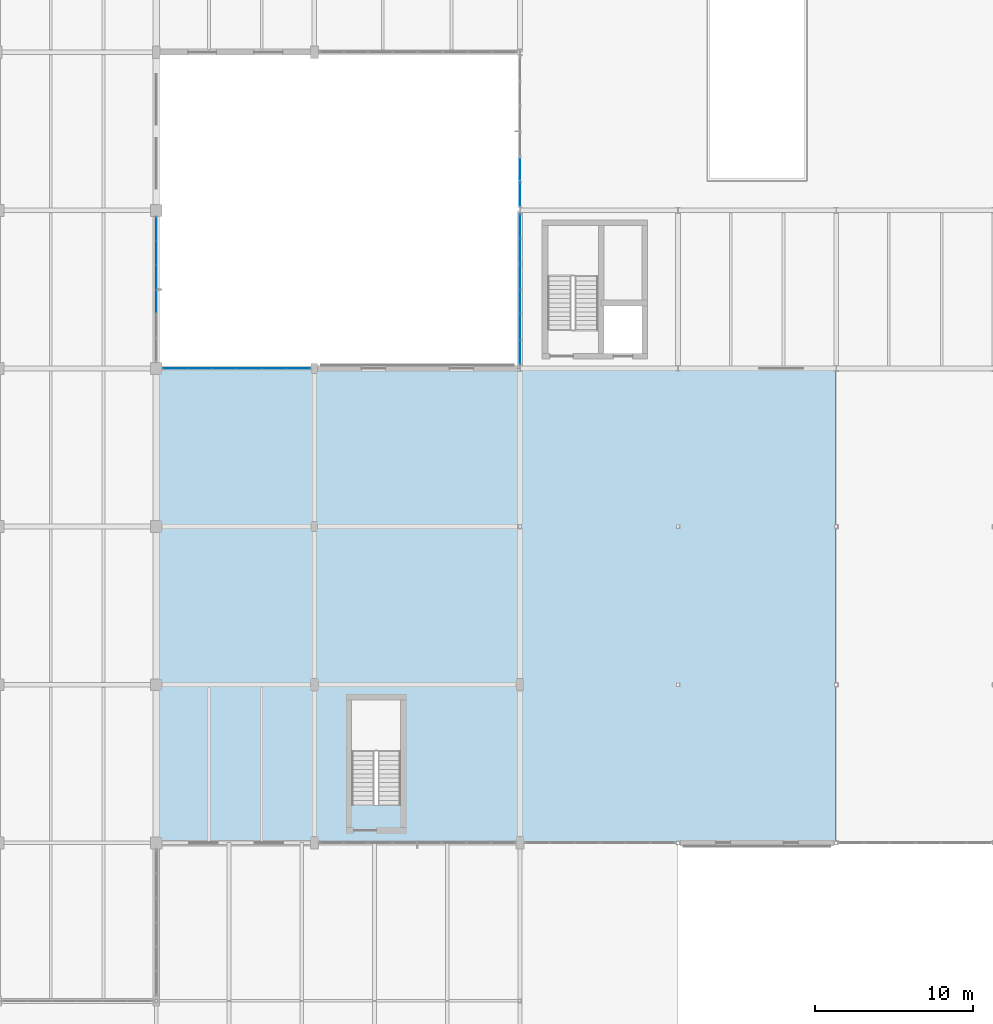
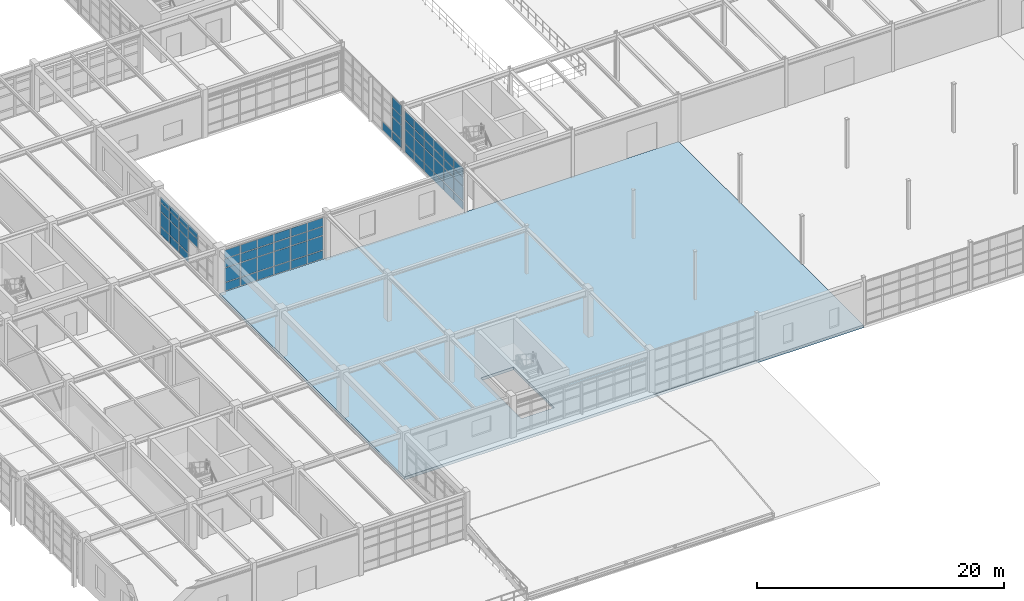
# One storey, part 85 of 139: 67 plates, 1 slab, 4 elements without a shape of their own.
"""IFC4 building model written with IfcOpenShell, lengths in metres."""

from ifc_helpers import new_model, si_unit, direction, frame, origin, origin_2d, place, context, subcontext, project, spatial, polyline, rectangle, outline, extrude, material, layer, layer_set, type_object, element, aggregate, save


model = new_model("IFC4")

# Units and contexts
model_context = context("Model", 3, precision=1e-05, world=origin(), true_north=direction((0.0, 1.0)))
body_context = subcontext(model_context, "Body", "Model", "MODEL_VIEW")
ifc_project = project(units=[si_unit("LENGTHUNIT", "METRE"), si_unit("AREAUNIT", "SQUARE_METRE"), si_unit("VOLUMEUNIT", "CUBIC_METRE"), si_unit("PLANEANGLEUNIT", "RADIAN"), si_unit("MASSUNIT", "GRAM", prefix="KILO"), si_unit("THERMODYNAMICTEMPERATUREUNIT", "KELVIN"), si_unit("POWERUNIT", "WATT")], contexts=[model_context])

# Site, building, storey
site_placement = place(None, origin())
site = spatial("IfcSite", under=ifc_project, at=site_placement, CompositionType="ELEMENT")
building_placement = place(site_placement, origin())
building = spatial("IfcBuilding", under=site, at=building_placement, Name="Korenveer Ferry Terminal", CompositionType="ELEMENT")
storey_placement = place(building_placement, frame((0.0, 0.0, 5.39990234375)))
storey = spatial("IfcBuildingStorey", under=building, at=storey_placement, Name="L01", CompositionType="ELEMENT", Elevation=5.39990234375)

# Curtain wall, plates
ifc_material_1 = material(Name="Unitised bronze-and-glass curtain wall", Category="glass")
ifc_layer_1 = layer(ifc_material_1, 0.159912109375)
ifc_layer_set_1 = layer_set([ifc_layer_1], Name="Unitised bronze-and-glass curtain wall")
curtain_wall_type_1 = type_object("IfcCurtainWallType", Name="ENV-CW-43", PredefinedType="USERDEFINED", material=ifc_layer_set_1)
curtain_wall_1_placement = place(storey_placement, frame((30.405029296875, 50.0, 0.0)))
curtain_wall_1 = element("IfcCurtainWall", 1, at=curtain_wall_1_placement, inside=storey, type_object=curtain_wall_type_1, Name="Lancet curtain wall CWX-L01-X30-40-Y50-50", ObjectType="UNITISED CURTAIN WALL", PredefinedType="USERDEFINED")
ifc_material_2 = material(Name="Low-iron solar-control double glazing", Category="glass")
ifc_layer_2 = layer(ifc_material_2, 0.028076171875)
ifc_layer_set_2 = layer_set([ifc_layer_2], Name="Low-iron solar-control double glazing")
plate_type_1 = type_object("IfcPlateType", Name="ENV-CWP-GLZ28", PredefinedType="CURTAIN_PANEL", material=ifc_layer_set_2)
plate_1_placement = place(storey_placement, frame((31.200439453125, 50.0, 0.06005859375), z_axis=(0.0, 0.0, 1.0), x_axis=(1.0, 0.0, 0.0)))
plate_1 = element("IfcPlate", 2, at=plate_1_placement, type_object=plate_type_1, Name="CW-43 panel 1.1", PredefinedType="CURTAIN_PANEL", context=body_context, shape_type="SweptSolid", body=[
    extrude(rectangle(XDim=1.470947265625, YDim=0.028076171875, at=origin_2d()), origin(), (0.0, 0.0, 1.0), 0.81005859375),
])
plate_2_placement = place(storey_placement, frame((31.200439453125, 50.0, 0.93017578125), z_axis=(0.0, 0.0, 1.0), x_axis=(1.0, 0.0, 0.0)))
plate_2 = element("IfcPlate", 3, at=plate_2_placement, type_object=plate_type_1, Name="CW-43 panel 1.2", PredefinedType="CURTAIN_PANEL", context=body_context, shape_type="SweptSolid", body=[
    extrude(rectangle(XDim=1.470947265625, YDim=0.028076171875, at=origin_2d()), origin(), (0.0, 0.0, 1.0), 1.389892578125),
])
plate_3_placement = place(storey_placement, frame((31.200439453125, 50.0, 2.3798828125), z_axis=(0.0, 0.0, 1.0), x_axis=(1.0, 0.0, 0.0)))
plate_3 = element("IfcPlate", 4, at=plate_3_placement, type_object=plate_type_1, Name="CW-43 panel 1.3", PredefinedType="CURTAIN_PANEL", context=body_context, shape_type="SweptSolid", body=[
    extrude(rectangle(XDim=1.470947265625, YDim=0.028076171875, at=origin_2d()), origin(), (0.0, 0.0, 1.0), 0.840087890625),
])
plate_4_placement = place(storey_placement, frame((31.200439453125, 50.0, 3.2802734375), z_axis=(0.0, 0.0, 1.0), x_axis=(1.0, 0.0, 0.0)))
plate_4 = element("IfcPlate", 5, at=plate_4_placement, type_object=plate_type_1, Name="CW-43 panel 1.4", PredefinedType="CURTAIN_PANEL", context=body_context, shape_type="SweptSolid", body=[
    extrude(rectangle(XDim=1.470947265625, YDim=0.028076171875, at=origin_2d()), origin(), (0.0, 0.0, 1.0), 0.820068359375),
])
plate_5_placement = place(storey_placement, frame((32.746337890625, 50.0, 0.06005859375), z_axis=(0.0, 0.0, 1.0), x_axis=(1.0, 0.0, 0.0)))
plate_5 = element("IfcPlate", 6, at=plate_5_placement, type_object=plate_type_1, Name="CW-43 panel 2.1", PredefinedType="CURTAIN_PANEL", context=body_context, shape_type="SweptSolid", body=[
    extrude(rectangle(XDim=1.500732421875, YDim=0.028076171875, at=origin_2d()), origin(), (0.0, 0.0, 1.0), 0.81005859375),
])
plate_6_placement = place(storey_placement, frame((32.746337890625, 50.0, 0.93017578125), z_axis=(0.0, 0.0, 1.0), x_axis=(1.0, 0.0, 0.0)))
plate_6 = element("IfcPlate", 7, at=plate_6_placement, type_object=plate_type_1, Name="CW-43 panel 2.2", PredefinedType="CURTAIN_PANEL", context=body_context, shape_type="SweptSolid", body=[
    extrude(rectangle(XDim=1.500732421875, YDim=0.028076171875, at=origin_2d()), origin(), (0.0, 0.0, 1.0), 1.389892578125),
])
plate_7_placement = place(storey_placement, frame((32.746337890625, 50.0, 2.3798828125), z_axis=(0.0, 0.0, 1.0), x_axis=(1.0, 0.0, 0.0)))
plate_7 = element("IfcPlate", 8, at=plate_7_placement, type_object=plate_type_1, Name="CW-43 panel 2.3", PredefinedType="CURTAIN_PANEL", context=body_context, shape_type="SweptSolid", body=[
    extrude(rectangle(XDim=1.500732421875, YDim=0.028076171875, at=origin_2d()), origin(), (0.0, 0.0, 1.0), 0.840087890625),
])
plate_8_placement = place(storey_placement, frame((32.746337890625, 50.0, 3.2802734375), z_axis=(0.0, 0.0, 1.0), x_axis=(1.0, 0.0, 0.0)))
plate_8 = element("IfcPlate", 9, at=plate_8_placement, type_object=plate_type_1, Name="CW-43 panel 2.4", PredefinedType="CURTAIN_PANEL", context=body_context, shape_type="SweptSolid", body=[
    extrude(rectangle(XDim=1.500732421875, YDim=0.028076171875, at=origin_2d()), origin(), (0.0, 0.0, 1.0), 0.820068359375),
])
plate_9_placement = place(storey_placement, frame((34.30712890625, 50.0, 0.06005859375), z_axis=(0.0, 0.0, 1.0), x_axis=(1.0, 0.0, 0.0)))
plate_9 = element("IfcPlate", 10, at=plate_9_placement, type_object=plate_type_1, Name="CW-43 panel 3.1", PredefinedType="CURTAIN_PANEL", context=body_context, shape_type="SweptSolid", body=[
    extrude(rectangle(XDim=1.500732421875, YDim=0.028076171875, at=origin_2d()), origin(), (0.0, 0.0, 1.0), 0.81005859375),
])
plate_10_placement = place(storey_placement, frame((34.30712890625, 50.0, 0.93017578125), z_axis=(0.0, 0.0, 1.0), x_axis=(1.0, 0.0, 0.0)))
plate_10 = element("IfcPlate", 11, at=plate_10_placement, type_object=plate_type_1, Name="CW-43 panel 3.2", PredefinedType="CURTAIN_PANEL", context=body_context, shape_type="SweptSolid", body=[
    extrude(rectangle(XDim=1.500732421875, YDim=0.028076171875, at=origin_2d()), origin(), (0.0, 0.0, 1.0), 1.389892578125),
])
plate_11_placement = place(storey_placement, frame((34.30712890625, 50.0, 2.3798828125), z_axis=(0.0, 0.0, 1.0), x_axis=(1.0, 0.0, 0.0)))
plate_11 = element("IfcPlate", 12, at=plate_11_placement, type_object=plate_type_1, Name="CW-43 panel 3.3", PredefinedType="CURTAIN_PANEL", context=body_context, shape_type="SweptSolid", body=[
    extrude(rectangle(XDim=1.500732421875, YDim=0.028076171875, at=origin_2d()), origin(), (0.0, 0.0, 1.0), 0.840087890625),
])
plate_12_placement = place(storey_placement, frame((34.30712890625, 50.0, 3.2802734375), z_axis=(0.0, 0.0, 1.0), x_axis=(1.0, 0.0, 0.0)))
plate_12 = element("IfcPlate", 13, at=plate_12_placement, type_object=plate_type_1, Name="CW-43 panel 3.4", PredefinedType="CURTAIN_PANEL", context=body_context, shape_type="SweptSolid", body=[
    extrude(rectangle(XDim=1.500732421875, YDim=0.028076171875, at=origin_2d()), origin(), (0.0, 0.0, 1.0), 0.820068359375),
])
plate_13_placement = place(storey_placement, frame((35.867919921875, 50.0, 0.06005859375), z_axis=(0.0, 0.0, 1.0), x_axis=(1.0, 0.0, 0.0)))
plate_13 = element("IfcPlate", 14, at=plate_13_placement, type_object=plate_type_1, Name="CW-43 panel 4.1", PredefinedType="CURTAIN_PANEL", context=body_context, shape_type="SweptSolid", body=[
    extrude(rectangle(XDim=1.500732421875, YDim=0.028076171875, at=origin_2d()), origin(), (0.0, 0.0, 1.0), 0.81005859375),
])
plate_14_placement = place(storey_placement, frame((35.867919921875, 50.0, 0.93017578125), z_axis=(0.0, 0.0, 1.0), x_axis=(1.0, 0.0, 0.0)))
plate_14 = element("IfcPlate", 15, at=plate_14_placement, type_object=plate_type_1, Name="CW-43 panel 4.2", PredefinedType="CURTAIN_PANEL", context=body_context, shape_type="SweptSolid", body=[
    extrude(rectangle(XDim=1.500732421875, YDim=0.028076171875, at=origin_2d()), origin(), (0.0, 0.0, 1.0), 1.389892578125),
])
plate_15_placement = place(storey_placement, frame((35.867919921875, 50.0, 2.3798828125), z_axis=(0.0, 0.0, 1.0), x_axis=(1.0, 0.0, 0.0)))
plate_15 = element("IfcPlate", 16, at=plate_15_placement, type_object=plate_type_1, Name="CW-43 panel 4.3", PredefinedType="CURTAIN_PANEL", context=body_context, shape_type="SweptSolid", body=[
    extrude(rectangle(XDim=1.500732421875, YDim=0.028076171875, at=origin_2d()), origin(), (0.0, 0.0, 1.0), 0.840087890625),
])
plate_16_placement = place(storey_placement, frame((35.867919921875, 50.0, 3.2802734375), z_axis=(0.0, 0.0, 1.0), x_axis=(1.0, 0.0, 0.0)))
plate_16 = element("IfcPlate", 17, at=plate_16_placement, type_object=plate_type_1, Name="CW-43 panel 4.4", PredefinedType="CURTAIN_PANEL", context=body_context, shape_type="SweptSolid", body=[
    extrude(rectangle(XDim=1.500732421875, YDim=0.028076171875, at=origin_2d()), origin(), (0.0, 0.0, 1.0), 0.820068359375),
])
plate_17_placement = place(storey_placement, frame((37.4287109375, 50.0, 0.06005859375), z_axis=(0.0, 0.0, 1.0), x_axis=(1.0, 0.0, 0.0)))
plate_17 = element("IfcPlate", 18, at=plate_17_placement, type_object=plate_type_1, Name="CW-43 panel 5.1", PredefinedType="CURTAIN_PANEL", context=body_context, shape_type="SweptSolid", body=[
    extrude(rectangle(XDim=1.500732421875, YDim=0.028076171875, at=origin_2d()), origin(), (0.0, 0.0, 1.0), 0.81005859375),
])
plate_18_placement = place(storey_placement, frame((37.4287109375, 50.0, 0.93017578125), z_axis=(0.0, 0.0, 1.0), x_axis=(1.0, 0.0, 0.0)))
plate_18 = element("IfcPlate", 19, at=plate_18_placement, type_object=plate_type_1, Name="CW-43 panel 5.2", PredefinedType="CURTAIN_PANEL", context=body_context, shape_type="SweptSolid", body=[
    extrude(rectangle(XDim=1.500732421875, YDim=0.028076171875, at=origin_2d()), origin(), (0.0, 0.0, 1.0), 1.389892578125),
])
plate_19_placement = place(storey_placement, frame((37.4287109375, 50.0, 2.3798828125), z_axis=(0.0, 0.0, 1.0), x_axis=(1.0, 0.0, 0.0)))
plate_19 = element("IfcPlate", 20, at=plate_19_placement, type_object=plate_type_1, Name="CW-43 panel 5.3", PredefinedType="CURTAIN_PANEL", context=body_context, shape_type="SweptSolid", body=[
    extrude(rectangle(XDim=1.500732421875, YDim=0.028076171875, at=origin_2d()), origin(), (0.0, 0.0, 1.0), 0.840087890625),
])
plate_20_placement = place(storey_placement, frame((37.4287109375, 50.0, 3.2802734375), z_axis=(0.0, 0.0, 1.0), x_axis=(1.0, 0.0, 0.0)))
plate_20 = element("IfcPlate", 21, at=plate_20_placement, type_object=plate_type_1, Name="CW-43 panel 5.4", PredefinedType="CURTAIN_PANEL", context=body_context, shape_type="SweptSolid", body=[
    extrude(rectangle(XDim=1.500732421875, YDim=0.028076171875, at=origin_2d()), origin(), (0.0, 0.0, 1.0), 0.820068359375),
])
plate_21_placement = place(storey_placement, frame((38.974609375, 50.0, 0.06005859375), z_axis=(0.0, 0.0, 1.0), x_axis=(1.0, 0.0, 0.0)))
plate_21 = element("IfcPlate", 22, at=plate_21_placement, type_object=plate_type_1, Name="CW-43 panel 6.1", PredefinedType="CURTAIN_PANEL", context=body_context, shape_type="SweptSolid", body=[
    extrude(rectangle(XDim=1.470947265625, YDim=0.028076171875, at=origin_2d()), origin(), (0.0, 0.0, 1.0), 0.81005859375),
])
plate_22_placement = place(storey_placement, frame((38.974609375, 50.0, 0.93017578125), z_axis=(0.0, 0.0, 1.0), x_axis=(1.0, 0.0, 0.0)))
plate_22 = element("IfcPlate", 23, at=plate_22_placement, type_object=plate_type_1, Name="CW-43 panel 6.2", PredefinedType="CURTAIN_PANEL", context=body_context, shape_type="SweptSolid", body=[
    extrude(rectangle(XDim=1.470947265625, YDim=0.028076171875, at=origin_2d()), origin(), (0.0, 0.0, 1.0), 1.389892578125),
])
plate_23_placement = place(storey_placement, frame((38.974609375, 50.0, 2.3798828125), z_axis=(0.0, 0.0, 1.0), x_axis=(1.0, 0.0, 0.0)))
plate_23 = element("IfcPlate", 24, at=plate_23_placement, type_object=plate_type_1, Name="CW-43 panel 6.3", PredefinedType="CURTAIN_PANEL", context=body_context, shape_type="SweptSolid", body=[
    extrude(rectangle(XDim=1.470947265625, YDim=0.028076171875, at=origin_2d()), origin(), (0.0, 0.0, 1.0), 0.840087890625),
])
plate_24_placement = place(storey_placement, frame((38.974609375, 50.0, 3.2802734375), z_axis=(0.0, 0.0, 1.0), x_axis=(1.0, 0.0, 0.0)))
plate_24 = element("IfcPlate", 25, at=plate_24_placement, type_object=plate_type_1, Name="CW-43 panel 6.4", PredefinedType="CURTAIN_PANEL", context=body_context, shape_type="SweptSolid", body=[
    extrude(rectangle(XDim=1.470947265625, YDim=0.028076171875, at=origin_2d()), origin(), (0.0, 0.0, 1.0), 0.820068359375),
])
aggregate(curtain_wall_1, [plate_1, plate_2, plate_3, plate_4, plate_5, plate_6, plate_7, plate_8, plate_9, plate_10, plate_11, plate_12, plate_13, plate_14, plate_15, plate_16, plate_17, plate_18, plate_19, plate_20, plate_21, plate_22, plate_23, plate_24])

ifc_layer_3 = layer(ifc_material_1, 0.159912109375)
ifc_layer_set_3 = layer_set([ifc_layer_3], Name="Unitised bronze-and-glass curtain wall")
curtain_wall_type_2 = type_object("IfcCurtainWallType", Name="ENV-CW-63", PredefinedType="USERDEFINED", material=ifc_layer_set_3)
curtain_wall_2_placement = place(storey_placement, frame((30.0, 59.594970703125, 0.0)))
curtain_wall_2 = element("IfcCurtainWall", 26, at=curtain_wall_2_placement, inside=storey, type_object=curtain_wall_type_2, Name="Lancet curtain wall CWX-L01-X30-30-Y50-60", ObjectType="UNITISED CURTAIN WALL", PredefinedType="USERDEFINED")
plate_25_placement = place(storey_placement, frame((30.0, 58.814208984375, 0.06005859375), z_axis=(0.0, 0.0, 1.0), x_axis=(0.0, -1.0, 0.0)))
plate_25 = element("IfcPlate", 27, at=plate_25_placement, type_object=plate_type_1, Name="CW-63 panel 1.1", PredefinedType="CURTAIN_PANEL", context=body_context, shape_type="SweptSolid", body=[
    extrude(rectangle(XDim=1.441650390625, YDim=0.028076171875, at=origin_2d()), origin(), (0.0, 0.0, 1.0), 0.81005859375),
])
plate_26_placement = place(storey_placement, frame((30.0, 58.814208984375, 0.93017578125), z_axis=(0.0, 0.0, 1.0), x_axis=(0.0, -1.0, 0.0)))
plate_26 = element("IfcPlate", 28, at=plate_26_placement, type_object=plate_type_1, Name="CW-63 panel 1.2", PredefinedType="CURTAIN_PANEL", context=body_context, shape_type="SweptSolid", body=[
    extrude(rectangle(XDim=1.441650390625, YDim=0.028076171875, at=origin_2d()), origin(), (0.0, 0.0, 1.0), 1.389892578125),
])
plate_27_placement = place(storey_placement, frame((30.0, 58.814208984375, 2.3798828125), z_axis=(0.0, 0.0, 1.0), x_axis=(0.0, -1.0, 0.0)))
plate_27 = element("IfcPlate", 29, at=plate_27_placement, type_object=plate_type_1, Name="CW-63 panel 1.3", PredefinedType="CURTAIN_PANEL", context=body_context, shape_type="SweptSolid", body=[
    extrude(rectangle(XDim=1.441650390625, YDim=0.028076171875, at=origin_2d()), origin(), (0.0, 0.0, 1.0), 0.840087890625),
])
plate_28_placement = place(storey_placement, frame((30.0, 58.814208984375, 3.2802734375), z_axis=(0.0, 0.0, 1.0), x_axis=(0.0, -1.0, 0.0)))
plate_28 = element("IfcPlate", 30, at=plate_28_placement, type_object=plate_type_1, Name="CW-63 panel 1.4", PredefinedType="CURTAIN_PANEL", context=body_context, shape_type="SweptSolid", body=[
    extrude(rectangle(XDim=1.441650390625, YDim=0.028076171875, at=origin_2d()), origin(), (0.0, 0.0, 1.0), 0.530029296875),
])
plate_29_placement = place(storey_placement, frame((30.0, 57.297607421875, 0.06005859375), z_axis=(0.0, 0.0, 1.0), x_axis=(0.0, -1.0, 0.0)))
plate_29 = element("IfcPlate", 31, at=plate_29_placement, type_object=plate_type_1, Name="CW-63 panel 2.1", PredefinedType="CURTAIN_PANEL", context=body_context, shape_type="SweptSolid", body=[
    extrude(rectangle(XDim=1.4716796875, YDim=0.028076171875, at=origin_2d()), origin(), (0.0, 0.0, 1.0), 0.81005859375),
])
plate_30_placement = place(storey_placement, frame((30.0, 57.297607421875, 0.93017578125), z_axis=(0.0, 0.0, 1.0), x_axis=(0.0, -1.0, 0.0)))
plate_30 = element("IfcPlate", 32, at=plate_30_placement, type_object=plate_type_1, Name="CW-63 panel 2.2", PredefinedType="CURTAIN_PANEL", context=body_context, shape_type="SweptSolid", body=[
    extrude(rectangle(XDim=1.4716796875, YDim=0.028076171875, at=origin_2d()), origin(), (0.0, 0.0, 1.0), 1.389892578125),
])
plate_31_placement = place(storey_placement, frame((30.0, 57.297607421875, 2.3798828125), z_axis=(0.0, 0.0, 1.0), x_axis=(0.0, -1.0, 0.0)))
plate_31 = element("IfcPlate", 33, at=plate_31_placement, type_object=plate_type_1, Name="CW-63 panel 2.3", PredefinedType="CURTAIN_PANEL", context=body_context, shape_type="SweptSolid", body=[
    extrude(rectangle(XDim=1.4716796875, YDim=0.028076171875, at=origin_2d()), origin(), (0.0, 0.0, 1.0), 0.840087890625),
])
plate_32_placement = place(storey_placement, frame((30.0, 57.297607421875, 3.2802734375), z_axis=(0.0, 0.0, 1.0), x_axis=(0.0, -1.0, 0.0)))
plate_32 = element("IfcPlate", 34, at=plate_32_placement, type_object=plate_type_1, Name="CW-63 panel 2.4", PredefinedType="CURTAIN_PANEL", context=body_context, shape_type="SweptSolid", body=[
    extrude(rectangle(XDim=1.4716796875, YDim=0.028076171875, at=origin_2d()), origin(), (0.0, 0.0, 1.0), 0.530029296875),
])
plate_33_placement = place(storey_placement, frame((30.0, 55.765869140625, 0.06005859375), z_axis=(0.0, 0.0, 1.0), x_axis=(0.0, -1.0, 0.0)))
plate_33 = element("IfcPlate", 35, at=plate_33_placement, type_object=plate_type_1, Name="CW-63 panel 3.1", PredefinedType="CURTAIN_PANEL", context=body_context, shape_type="SweptSolid", body=[
    extrude(rectangle(XDim=1.4716796875, YDim=0.028076171875, at=origin_2d()), origin(), (0.0, 0.0, 1.0), 0.81005859375),
])
plate_34_placement = place(storey_placement, frame((30.0, 55.765869140625, 0.93017578125), z_axis=(0.0, 0.0, 1.0), x_axis=(0.0, -1.0, 0.0)))
plate_34 = element("IfcPlate", 36, at=plate_34_placement, type_object=plate_type_1, Name="CW-63 panel 3.2", PredefinedType="CURTAIN_PANEL", context=body_context, shape_type="SweptSolid", body=[
    extrude(rectangle(XDim=1.4716796875, YDim=0.028076171875, at=origin_2d()), origin(), (0.0, 0.0, 1.0), 1.389892578125),
])
plate_35_placement = place(storey_placement, frame((30.0, 55.765869140625, 2.3798828125), z_axis=(0.0, 0.0, 1.0), x_axis=(0.0, -1.0, 0.0)))
plate_35 = element("IfcPlate", 37, at=plate_35_placement, type_object=plate_type_1, Name="CW-63 panel 3.3", PredefinedType="CURTAIN_PANEL", context=body_context, shape_type="SweptSolid", body=[
    extrude(rectangle(XDim=1.4716796875, YDim=0.028076171875, at=origin_2d()), origin(), (0.0, 0.0, 1.0), 0.840087890625),
])
plate_36_placement = place(storey_placement, frame((30.0, 55.765869140625, 3.2802734375), z_axis=(0.0, 0.0, 1.0), x_axis=(0.0, -1.0, 0.0)))
plate_36 = element("IfcPlate", 38, at=plate_36_placement, type_object=plate_type_1, Name="CW-63 panel 3.4", PredefinedType="CURTAIN_PANEL", context=body_context, shape_type="SweptSolid", body=[
    extrude(rectangle(XDim=1.4716796875, YDim=0.028076171875, at=origin_2d()), origin(), (0.0, 0.0, 1.0), 0.530029296875),
])
plate_37_placement = place(storey_placement, frame((30.0, 54.234130859375, 2.3798828125), z_axis=(0.0, 0.0, 1.0), x_axis=(0.0, -1.0, 0.0)))
plate_37 = element("IfcPlate", 39, at=plate_37_placement, type_object=plate_type_1, Name="CW-63 panel 4.3", PredefinedType="CURTAIN_PANEL", context=body_context, shape_type="SweptSolid", body=[
    extrude(rectangle(XDim=1.4716796875, YDim=0.028076171875, at=origin_2d()), origin(), (0.0, 0.0, 1.0), 0.840087890625),
])
plate_38_placement = place(storey_placement, frame((30.0, 54.234130859375, 3.2802734375), z_axis=(0.0, 0.0, 1.0), x_axis=(0.0, -1.0, 0.0)))
plate_38 = element("IfcPlate", 40, at=plate_38_placement, type_object=plate_type_1, Name="CW-63 panel 4.4", PredefinedType="CURTAIN_PANEL", context=body_context, shape_type="SweptSolid", body=[
    extrude(rectangle(XDim=1.4716796875, YDim=0.028076171875, at=origin_2d()), origin(), (0.0, 0.0, 1.0), 0.530029296875),
])
aggregate(curtain_wall_2, [plate_25, plate_26, plate_27, plate_28, plate_29, plate_30, plate_31, plate_32, plate_33, plate_34, plate_35, plate_36, plate_37, plate_38])

ifc_layer_4 = layer(ifc_material_1, 0.219970703125)
ifc_layer_set_4 = layer_set([ifc_layer_4], Name="Unitised bronze-and-glass curtain wall")
curtain_wall_type_3 = type_object("IfcCurtainWallType", Name="ENV-CW-68", PredefinedType="USERDEFINED", material=ifc_layer_set_4)
curtain_wall_3_placement = place(storey_placement, frame((53.0, 50.2099609375, 0.0)))
curtain_wall_3 = element("IfcCurtainWall", 41, at=curtain_wall_3_placement, inside=storey, type_object=curtain_wall_type_3, Name="Lancet curtain wall CWX-L01-X53-53-Y50-60", ObjectType="UNITISED CURTAIN WALL", PredefinedType="USERDEFINED")
ifc_material_3 = material(Name="Acoustic laminated marine glazing", Category="glass")
ifc_layer_5 = layer(ifc_material_3, 0.035888671875)
ifc_layer_set_5 = layer_set([ifc_layer_5], Name="Acoustic laminated marine glazing")
plate_type_2 = type_object("IfcPlateType", Name="ENV-CWP-GLZ36", PredefinedType="CURTAIN_PANEL", material=ifc_layer_set_5)
plate_39_placement = place(storey_placement, frame((53.0, 51.027099609375, 0.074951171875), z_axis=(0.0, 0.0, 1.0), x_axis=(0.0, 1.0, 0.0)))
plate_39 = element("IfcPlate", 42, at=plate_39_placement, type_object=plate_type_2, Name="CW-68 panel 1.1", PredefinedType="CURTAIN_PANEL", context=body_context, shape_type="SweptSolid", body=[
    extrude(rectangle(XDim=1.484130859375, YDim=0.035888671875, at=origin_2d()), origin(), (0.0, 0.0, 1.0), 0.78759765625),
])
plate_40_placement = place(storey_placement, frame((53.0, 51.027099609375, 0.9375), z_axis=(0.0, 0.0, 1.0), x_axis=(0.0, 1.0, 0.0)))
plate_40 = element("IfcPlate", 43, at=plate_40_placement, type_object=plate_type_2, Name="CW-68 panel 1.2", PredefinedType="CURTAIN_PANEL", context=body_context, shape_type="SweptSolid", body=[
    extrude(rectangle(XDim=1.484130859375, YDim=0.035888671875, at=origin_2d()), origin(), (0.0, 0.0, 1.0), 1.375),
])
plate_41_placement = place(storey_placement, frame((53.0, 51.027099609375, 2.3876953125), z_axis=(0.0, 0.0, 1.0), x_axis=(0.0, 1.0, 0.0)))
plate_41 = element("IfcPlate", 44, at=plate_41_placement, type_object=plate_type_2, Name="CW-68 panel 1.3", PredefinedType="CURTAIN_PANEL", context=body_context, shape_type="SweptSolid", body=[
    extrude(rectangle(XDim=1.484130859375, YDim=0.035888671875, at=origin_2d()), origin(), (0.0, 0.0, 1.0), 0.824951171875),
])
plate_42_placement = place(storey_placement, frame((53.0, 51.027099609375, 3.28759765625), z_axis=(0.0, 0.0, 1.0), x_axis=(0.0, 1.0, 0.0)))
plate_42 = element("IfcPlate", 45, at=plate_42_placement, type_object=plate_type_2, Name="CW-68 panel 1.4", PredefinedType="CURTAIN_PANEL", context=body_context, shape_type="SweptSolid", body=[
    extrude(rectangle(XDim=1.484130859375, YDim=0.035888671875, at=origin_2d()), origin(), (0.0, 0.0, 1.0), 0.867431640625),
])
plate_43_placement = place(storey_placement, frame((53.0, 52.60498046875, 0.074951171875), z_axis=(0.0, 0.0, 1.0), x_axis=(0.0, 1.0, 0.0)))
plate_43 = element("IfcPlate", 46, at=plate_43_placement, type_object=plate_type_2, Name="CW-68 panel 2.1", PredefinedType="CURTAIN_PANEL", context=body_context, shape_type="SweptSolid", body=[
    extrude(rectangle(XDim=1.521728515625, YDim=0.035888671875, at=origin_2d()), origin(), (0.0, 0.0, 1.0), 0.78759765625),
])
plate_44_placement = place(storey_placement, frame((53.0, 52.60498046875, 0.9375), z_axis=(0.0, 0.0, 1.0), x_axis=(0.0, 1.0, 0.0)))
plate_44 = element("IfcPlate", 47, at=plate_44_placement, type_object=plate_type_2, Name="CW-68 panel 2.2", PredefinedType="CURTAIN_PANEL", context=body_context, shape_type="SweptSolid", body=[
    extrude(rectangle(XDim=1.521728515625, YDim=0.035888671875, at=origin_2d()), origin(), (0.0, 0.0, 1.0), 1.375),
])
plate_45_placement = place(storey_placement, frame((53.0, 52.60498046875, 2.3876953125), z_axis=(0.0, 0.0, 1.0), x_axis=(0.0, 1.0, 0.0)))
plate_45 = element("IfcPlate", 48, at=plate_45_placement, type_object=plate_type_2, Name="CW-68 panel 2.3", PredefinedType="CURTAIN_PANEL", context=body_context, shape_type="SweptSolid", body=[
    extrude(rectangle(XDim=1.521728515625, YDim=0.035888671875, at=origin_2d()), origin(), (0.0, 0.0, 1.0), 0.824951171875),
])
plate_46_placement = place(storey_placement, frame((53.0, 52.60498046875, 3.28759765625), z_axis=(0.0, 0.0, 1.0), x_axis=(0.0, 1.0, 0.0)))
plate_46 = element("IfcPlate", 49, at=plate_46_placement, type_object=plate_type_2, Name="CW-68 panel 2.4", PredefinedType="CURTAIN_PANEL", context=body_context, shape_type="SweptSolid", body=[
    extrude(rectangle(XDim=1.521728515625, YDim=0.035888671875, at=origin_2d()), origin(), (0.0, 0.0, 1.0), 0.867431640625),
])
plate_47_placement = place(storey_placement, frame((53.0, 54.20166015625, 0.074951171875), z_axis=(0.0, 0.0, 1.0), x_axis=(0.0, 1.0, 0.0)))
plate_47 = element("IfcPlate", 50, at=plate_47_placement, type_object=plate_type_2, Name="CW-68 panel 3.1", PredefinedType="CURTAIN_PANEL", context=body_context, shape_type="SweptSolid", body=[
    extrude(rectangle(XDim=1.521728515625, YDim=0.035888671875, at=origin_2d()), origin(), (0.0, 0.0, 1.0), 0.78759765625),
])
plate_48_placement = place(storey_placement, frame((53.0, 54.20166015625, 0.9375), z_axis=(0.0, 0.0, 1.0), x_axis=(0.0, 1.0, 0.0)))
plate_48 = element("IfcPlate", 51, at=plate_48_placement, type_object=plate_type_2, Name="CW-68 panel 3.2", PredefinedType="CURTAIN_PANEL", context=body_context, shape_type="SweptSolid", body=[
    extrude(rectangle(XDim=1.521728515625, YDim=0.035888671875, at=origin_2d()), origin(), (0.0, 0.0, 1.0), 1.375),
])
plate_49_placement = place(storey_placement, frame((53.0, 54.20166015625, 2.3876953125), z_axis=(0.0, 0.0, 1.0), x_axis=(0.0, 1.0, 0.0)))
plate_49 = element("IfcPlate", 52, at=plate_49_placement, type_object=plate_type_2, Name="CW-68 panel 3.3", PredefinedType="CURTAIN_PANEL", context=body_context, shape_type="SweptSolid", body=[
    extrude(rectangle(XDim=1.521728515625, YDim=0.035888671875, at=origin_2d()), origin(), (0.0, 0.0, 1.0), 0.824951171875),
])
plate_50_placement = place(storey_placement, frame((53.0, 54.20166015625, 3.28759765625), z_axis=(0.0, 0.0, 1.0), x_axis=(0.0, 1.0, 0.0)))
plate_50 = element("IfcPlate", 53, at=plate_50_placement, type_object=plate_type_2, Name="CW-68 panel 3.4", PredefinedType="CURTAIN_PANEL", context=body_context, shape_type="SweptSolid", body=[
    extrude(rectangle(XDim=1.521728515625, YDim=0.035888671875, at=origin_2d()), origin(), (0.0, 0.0, 1.0), 0.867431640625),
])
plate_51_placement = place(storey_placement, frame((53.0, 55.79833984375, 0.074951171875), z_axis=(0.0, 0.0, 1.0), x_axis=(0.0, 1.0, 0.0)))
plate_51 = element("IfcPlate", 54, at=plate_51_placement, type_object=plate_type_2, Name="CW-68 panel 4.1", PredefinedType="CURTAIN_PANEL", context=body_context, shape_type="SweptSolid", body=[
    extrude(rectangle(XDim=1.521728515625, YDim=0.035888671875, at=origin_2d()), origin(), (0.0, 0.0, 1.0), 0.78759765625),
])
plate_52_placement = place(storey_placement, frame((53.0, 55.79833984375, 0.9375), z_axis=(0.0, 0.0, 1.0), x_axis=(0.0, 1.0, 0.0)))
plate_52 = element("IfcPlate", 55, at=plate_52_placement, type_object=plate_type_2, Name="CW-68 panel 4.2", PredefinedType="CURTAIN_PANEL", context=body_context, shape_type="SweptSolid", body=[
    extrude(rectangle(XDim=1.521728515625, YDim=0.035888671875, at=origin_2d()), origin(), (0.0, 0.0, 1.0), 1.375),
])
plate_53_placement = place(storey_placement, frame((53.0, 55.79833984375, 2.3876953125), z_axis=(0.0, 0.0, 1.0), x_axis=(0.0, 1.0, 0.0)))
plate_53 = element("IfcPlate", 56, at=plate_53_placement, type_object=plate_type_2, Name="CW-68 panel 4.3", PredefinedType="CURTAIN_PANEL", context=body_context, shape_type="SweptSolid", body=[
    extrude(rectangle(XDim=1.521728515625, YDim=0.035888671875, at=origin_2d()), origin(), (0.0, 0.0, 1.0), 0.824951171875),
])
plate_54_placement = place(storey_placement, frame((53.0, 55.79833984375, 3.28759765625), z_axis=(0.0, 0.0, 1.0), x_axis=(0.0, 1.0, 0.0)))
plate_54 = element("IfcPlate", 57, at=plate_54_placement, type_object=plate_type_2, Name="CW-68 panel 4.4", PredefinedType="CURTAIN_PANEL", context=body_context, shape_type="SweptSolid", body=[
    extrude(rectangle(XDim=1.521728515625, YDim=0.035888671875, at=origin_2d()), origin(), (0.0, 0.0, 1.0), 0.867431640625),
])
plate_55_placement = place(storey_placement, frame((53.0, 57.39501953125, 0.074951171875), z_axis=(0.0, 0.0, 1.0), x_axis=(0.0, 1.0, 0.0)))
plate_55 = element("IfcPlate", 58, at=plate_55_placement, type_object=plate_type_2, Name="CW-68 panel 5.1", PredefinedType="CURTAIN_PANEL", context=body_context, shape_type="SweptSolid", body=[
    extrude(rectangle(XDim=1.521728515625, YDim=0.035888671875, at=origin_2d()), origin(), (0.0, 0.0, 1.0), 0.78759765625),
])
plate_56_placement = place(storey_placement, frame((53.0, 57.39501953125, 0.9375), z_axis=(0.0, 0.0, 1.0), x_axis=(0.0, 1.0, 0.0)))
plate_56 = element("IfcPlate", 59, at=plate_56_placement, type_object=plate_type_2, Name="CW-68 panel 5.2", PredefinedType="CURTAIN_PANEL", context=body_context, shape_type="SweptSolid", body=[
    extrude(rectangle(XDim=1.521728515625, YDim=0.035888671875, at=origin_2d()), origin(), (0.0, 0.0, 1.0), 1.375),
])
plate_57_placement = place(storey_placement, frame((53.0, 57.39501953125, 2.3876953125), z_axis=(0.0, 0.0, 1.0), x_axis=(0.0, 1.0, 0.0)))
plate_57 = element("IfcPlate", 60, at=plate_57_placement, type_object=plate_type_2, Name="CW-68 panel 5.3", PredefinedType="CURTAIN_PANEL", context=body_context, shape_type="SweptSolid", body=[
    extrude(rectangle(XDim=1.521728515625, YDim=0.035888671875, at=origin_2d()), origin(), (0.0, 0.0, 1.0), 0.824951171875),
])
plate_58_placement = place(storey_placement, frame((53.0, 57.39501953125, 3.28759765625), z_axis=(0.0, 0.0, 1.0), x_axis=(0.0, 1.0, 0.0)))
plate_58 = element("IfcPlate", 61, at=plate_58_placement, type_object=plate_type_2, Name="CW-68 panel 5.4", PredefinedType="CURTAIN_PANEL", context=body_context, shape_type="SweptSolid", body=[
    extrude(rectangle(XDim=1.521728515625, YDim=0.035888671875, at=origin_2d()), origin(), (0.0, 0.0, 1.0), 0.867431640625),
])
plate_59_placement = place(storey_placement, frame((53.0, 58.972900390625, 0.074951171875), z_axis=(0.0, 0.0, 1.0), x_axis=(0.0, 1.0, 0.0)))
plate_59 = element("IfcPlate", 62, at=plate_59_placement, type_object=plate_type_2, Name="CW-68 panel 6.1", PredefinedType="CURTAIN_PANEL", context=body_context, shape_type="SweptSolid", body=[
    extrude(rectangle(XDim=1.484130859375, YDim=0.035888671875, at=origin_2d()), origin(), (0.0, 0.0, 1.0), 0.78759765625),
])
plate_60_placement = place(storey_placement, frame((53.0, 58.972900390625, 0.9375), z_axis=(0.0, 0.0, 1.0), x_axis=(0.0, 1.0, 0.0)))
plate_60 = element("IfcPlate", 63, at=plate_60_placement, type_object=plate_type_2, Name="CW-68 panel 6.2", PredefinedType="CURTAIN_PANEL", context=body_context, shape_type="SweptSolid", body=[
    extrude(rectangle(XDim=1.484130859375, YDim=0.035888671875, at=origin_2d()), origin(), (0.0, 0.0, 1.0), 1.375),
])
plate_61_placement = place(storey_placement, frame((53.0, 58.972900390625, 2.3876953125), z_axis=(0.0, 0.0, 1.0), x_axis=(0.0, 1.0, 0.0)))
plate_61 = element("IfcPlate", 64, at=plate_61_placement, type_object=plate_type_2, Name="CW-68 panel 6.3", PredefinedType="CURTAIN_PANEL", context=body_context, shape_type="SweptSolid", body=[
    extrude(rectangle(XDim=1.484130859375, YDim=0.035888671875, at=origin_2d()), origin(), (0.0, 0.0, 1.0), 0.824951171875),
])
plate_62_placement = place(storey_placement, frame((53.0, 58.972900390625, 3.28759765625), z_axis=(0.0, 0.0, 1.0), x_axis=(0.0, 1.0, 0.0)))
plate_62 = element("IfcPlate", 65, at=plate_62_placement, type_object=plate_type_2, Name="CW-68 panel 6.4", PredefinedType="CURTAIN_PANEL", context=body_context, shape_type="SweptSolid", body=[
    extrude(rectangle(XDim=1.484130859375, YDim=0.035888671875, at=origin_2d()), origin(), (0.0, 0.0, 1.0), 0.867431640625),
])
aggregate(curtain_wall_3, [plate_39, plate_40, plate_41, plate_42, plate_43, plate_44, plate_45, plate_46, plate_47, plate_48, plate_49, plate_50, plate_51, plate_52, plate_53, plate_54, plate_55, plate_56, plate_57, plate_58, plate_59, plate_60, plate_61, plate_62])

ifc_layer_6 = layer(ifc_material_1, 0.219970703125)
ifc_layer_set_6 = layer_set([ifc_layer_6], Name="Unitised bronze-and-glass curtain wall")
curtain_wall_type_4 = type_object("IfcCurtainWallType", Name="ENV-CW-69", PredefinedType="USERDEFINED", material=ifc_layer_set_6)
curtain_wall_4_placement = place(storey_placement, frame((53.0, 60.2099609375, 0.0)))
curtain_wall_4 = element("IfcCurtainWall", 66, at=curtain_wall_4_placement, inside=storey, type_object=curtain_wall_type_4, Name="Lancet curtain wall CWX-L01-X53-53-Y60-70", ObjectType="UNITISED CURTAIN WALL", PredefinedType="USERDEFINED")
plate_63_placement = place(storey_placement, frame((53.0, 61.027099609375, 0.074951171875), z_axis=(0.0, 0.0, 1.0), x_axis=(0.0, 1.0, 0.0)))
plate_63 = element("IfcPlate", 67, at=plate_63_placement, type_object=plate_type_2, Name="CW-69 panel 1.1", PredefinedType="CURTAIN_PANEL", context=body_context, shape_type="SweptSolid", body=[
    extrude(rectangle(XDim=1.484130859375, YDim=0.035888671875, at=origin_2d()), origin(), (0.0, 0.0, 1.0), 0.78759765625),
])
plate_64_placement = place(storey_placement, frame((53.0, 61.027099609375, 0.9375), z_axis=(0.0, 0.0, 1.0), x_axis=(0.0, 1.0, 0.0)))
plate_64 = element("IfcPlate", 68, at=plate_64_placement, type_object=plate_type_2, Name="CW-69 panel 1.2", PredefinedType="CURTAIN_PANEL", context=body_context, shape_type="SweptSolid", body=[
    extrude(rectangle(XDim=1.484130859375, YDim=0.035888671875, at=origin_2d()), origin(), (0.0, 0.0, 1.0), 1.375),
])
plate_65_placement = place(storey_placement, frame((53.0, 61.027099609375, 2.3876953125), z_axis=(0.0, 0.0, 1.0), x_axis=(0.0, 1.0, 0.0)))
plate_65 = element("IfcPlate", 69, at=plate_65_placement, type_object=plate_type_2, Name="CW-69 panel 1.3", PredefinedType="CURTAIN_PANEL", context=body_context, shape_type="SweptSolid", body=[
    extrude(rectangle(XDim=1.484130859375, YDim=0.035888671875, at=origin_2d()), origin(), (0.0, 0.0, 1.0), 0.824951171875),
])
plate_66_placement = place(storey_placement, frame((53.0, 61.027099609375, 3.28759765625), z_axis=(0.0, 0.0, 1.0), x_axis=(0.0, 1.0, 0.0)))
plate_66 = element("IfcPlate", 70, at=plate_66_placement, type_object=plate_type_2, Name="CW-69 panel 1.4", PredefinedType="CURTAIN_PANEL", context=body_context, shape_type="SweptSolid", body=[
    extrude(rectangle(XDim=1.484130859375, YDim=0.035888671875, at=origin_2d()), origin(), (0.0, 0.0, 1.0), 0.99755859375),
])
plate_67_placement = place(storey_placement, frame((53.0, 62.60498046875, 0.074951171875), z_axis=(0.0, 0.0, 1.0), x_axis=(0.0, 1.0, 0.0)))
plate_67 = element("IfcPlate", 71, at=plate_67_placement, type_object=plate_type_2, Name="CW-69 panel 2.1", PredefinedType="CURTAIN_PANEL", context=body_context, shape_type="SweptSolid", body=[
    extrude(rectangle(XDim=1.521728515625, YDim=0.035888671875, at=origin_2d()), origin(), (0.0, 0.0, 1.0), 0.78759765625),
])
aggregate(curtain_wall_4, [plate_63, plate_64, plate_65, plate_66, plate_67])

# Slab
ifc_material_4 = material(Name="Concrete C35/45", Category="concrete")
ifc_layer_7 = layer(ifc_material_4, 0.280029296875)
ifc_layer_set_7 = layer_set([ifc_layer_7], Name="Concrete C35/45")
slab_type = type_object("IfcSlabType", Name="STR-SL-FLR280", PredefinedType="FLOOR", material=ifc_layer_set_7)
slab_placement = place(storey_placement, frame((0.0, 0.0, -0.27978515625)))
element("IfcSlab", 72, at=slab_placement, inside=storey, type_object=slab_type, Name="Floor slab SL-L01-ARW", PredefinedType="FLOOR", context=body_context, shape_type="SweptSolid", body=[
    extrude(outline(polyline([(30.0, 20.0), (73.0, 20.0), (73.0, 50.0), (30.0, 50.0), (30.0, 20.0)]), holes=[polyline([(45.4599609375, 22.409912109375), (45.4599609375, 29.0400390625), (42.360107421875, 29.0400390625), (42.360107421875, 22.409912109375), (45.4599609375, 22.409912109375)])]), origin(), (0.0, 0.0, 1.0), 0.27978515625),
])

save(model, "model.ifc")
